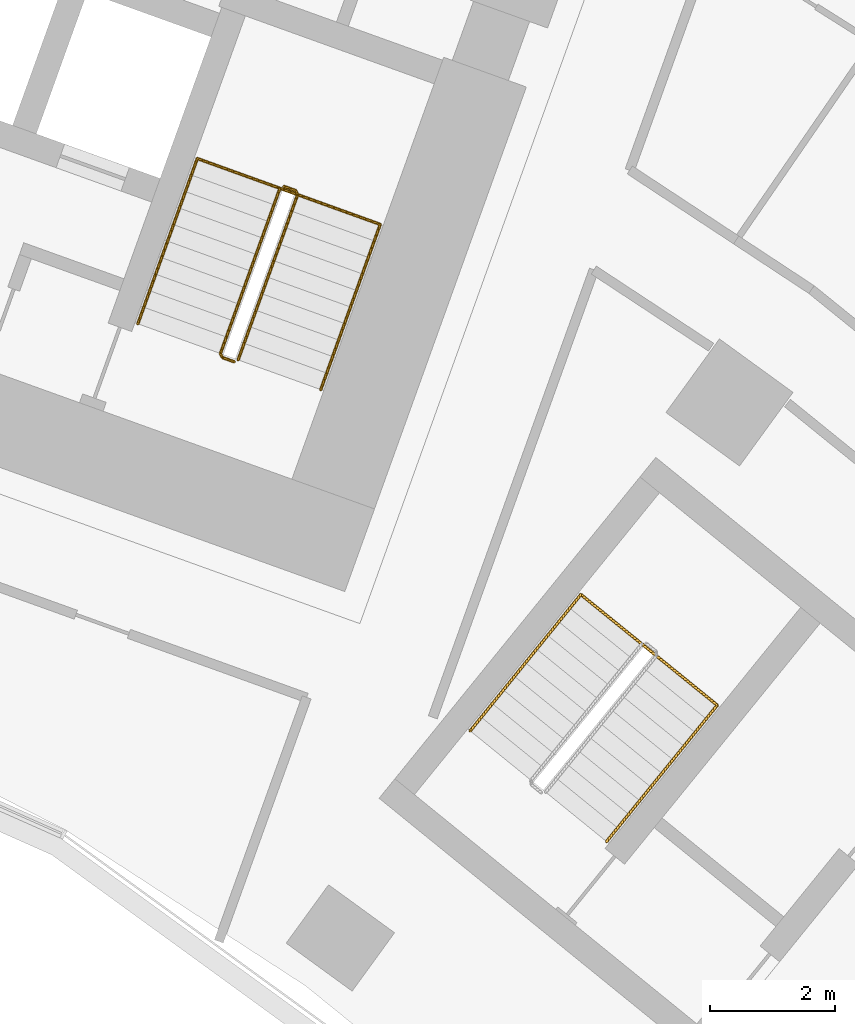
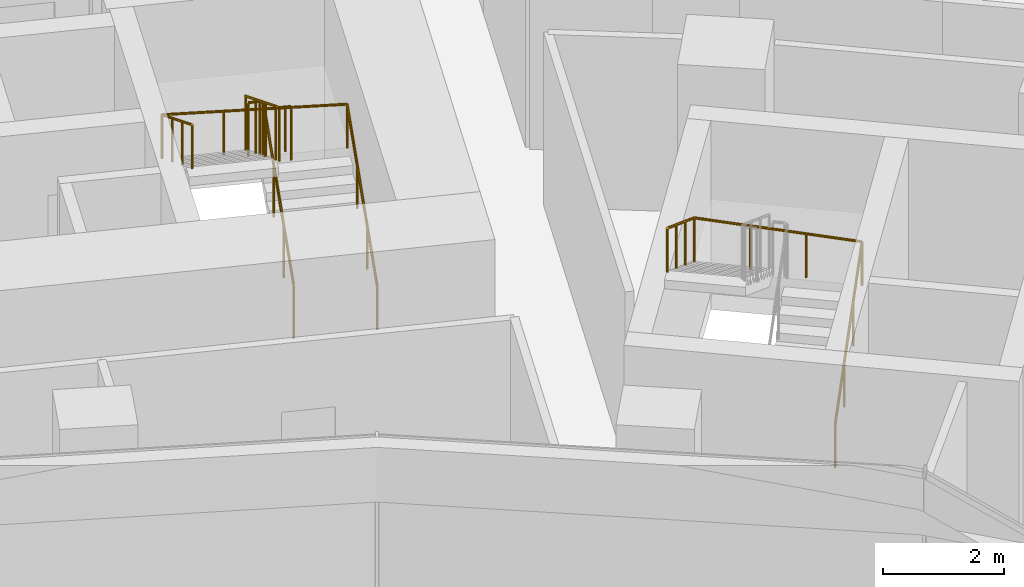
# One storey, part 21 of 21: 4 railings.
"""IFC4 building model written with IfcOpenShell, lengths in metres."""

from ifc_helpers import new_model, si_unit, direction, frame, origin, origin_2d, place, context, subcontext, project, spatial, circle, extrude, material, type_object, element, save


model = new_model("IFC4")

# Units and contexts
model_context = context("Model", 3, precision=1e-05, world=origin(), true_north=direction((0.0, 1.0)))
body_context = subcontext(model_context, "Body", "Model", "MODEL_VIEW")
ifc_project = project(units=[si_unit("LENGTHUNIT", "METRE"), si_unit("AREAUNIT", "SQUARE_METRE"), si_unit("VOLUMEUNIT", "CUBIC_METRE"), si_unit("PLANEANGLEUNIT", "RADIAN"), si_unit("MASSUNIT", "GRAM", prefix="KILO")], contexts=[model_context])

# Site, building, storey
site_placement = place(None, origin())
site = spatial("IfcSite", under=ifc_project, at=site_placement, CompositionType="ELEMENT")
building_placement = place(site_placement, origin())
building = spatial("IfcBuilding", under=site, at=building_placement, Name="Stone Belt Terrace Tower", CompositionType="ELEMENT")
storey_placement = place(building_placement, frame((0.0, 0.0, 117.39990234375)))
storey = spatial("IfcBuildingStorey", under=building, at=storey_placement, Name="L28", CompositionType="ELEMENT", Elevation=117.39990234375)

# Railings
ifc_material = material(Name="Structural steel C345", Category="steel")
railing_type_1 = type_object("IfcRailingType", Name="Stair guard 1100", PredefinedType="GUARDRAIL", material=ifc_material)
railing_1_placement = place(storey_placement, frame((24.494140625, 45.174560546875, 0.1728515625)))
element("IfcRailing", 1, at=railing_1_placement, inside=storey, type_object=railing_type_1, Name="L28 ST1B stair guard 1", PredefinedType="GUARDRAIL", context=body_context, shape_type="SweptSolid", body=[
    extrude(circle(Radius=0.02392578125, at=origin_2d()), frame((0.0, 0.0, 1.076171875), z_axis=(0.288228637646, 0.800791768495, 0.525030280985), x_axis=(-0.940908529223, 0.338660803216, 0.0)), (0.0, 0.0, 1.0), 3.289794921875),
    extrude(circle(Radius=0.02392578125, at=origin_2d()), frame((0.9482421875, 2.634521484375, 2.80322265625), z_axis=(-0.424964916, 0.905209821074, 0.0), x_axis=(-0.905209821074, -0.424964916, 0.0)), (0.0, 0.0, 1.0), 0.070556640625),
    extrude(circle(Radius=0.02392578125, at=origin_2d()), frame((0.918212890625, 2.698486328125, 2.80322265625), z_axis=(-0.941105063269, 0.338114270461, 0.0), x_axis=(-0.338114270461, -0.941105063269, 0.0)), (0.0, 0.0, 1.0), 0.199951171875),
    extrude(circle(Radius=0.02099609375, at=origin_2d()), origin(), (0.0, 0.0, 1.0), 1.052001953125),
    extrude(circle(Radius=0.02099609375, at=origin_2d()), frame((0.316162109375, 0.878173828125, 0.57568359375)), (0.0, 0.0, 1.0), 1.052001953125),
    extrude(circle(Radius=0.02099609375, at=origin_2d()), frame((0.632080078125, 1.75634765625, 1.151611328125)), (0.0, 0.0, 1.0), 1.052001953125),
    extrude(circle(Radius=0.02099609375, at=origin_2d()), frame((0.9482421875, 2.634521484375, 1.727294921875)), (0.0, 0.0, 1.0), 1.052001953125),
    extrude(circle(Radius=0.02099609375, at=origin_2d()), frame((0.918212890625, 2.698486328125, 1.727294921875)), (0.0, 0.0, 1.0), 1.052001953125),
    extrude(circle(Radius=0.02099609375, at=origin_2d()), frame((0.72998046875, 2.76611328125, 1.727294921875)), (0.0, 0.0, 1.0), 1.052001953125),
])
railing_2_placement = place(storey_placement, frame((25.16015625, 47.91064453125, 2.07275390625)))
element("IfcRailing", 2, at=railing_2_placement, inside=storey, type_object=railing_type_1, Name="L28 ST1B stair guard 2", PredefinedType="GUARDRAIL", context=body_context, shape_type="SweptSolid", body=[
    extrude(circle(Radius=0.02392578125, at=origin_2d()), frame((0.0, 0.0, 1.076171875), z_axis=(-0.288228637646, -0.800791768495, 0.525030280985), x_axis=(0.940908529223, -0.338660803216, 0.0)), (0.0, 0.0, 1.0), 3.289794921875),
    extrude(circle(Radius=0.02392578125, at=origin_2d()), frame((-0.9482421875, -2.634521484375, 2.80322265625), z_axis=(0.427789722475, -0.903878284585, 0.0), x_axis=(0.903878284585, 0.427789722475, 0.0)), (0.0, 0.0, 1.0), 0.07080078125),
    extrude(circle(Radius=0.02392578125, at=origin_2d()), frame((-0.91796875, -2.698486328125, 2.80322265625), z_axis=(0.940575576748, -0.339584429008, 0.0), x_axis=(0.339584429008, 0.940575576748, 0.0)), (0.0, 0.0, 1.0), 0.199951171875),
    extrude(circle(Radius=0.02099609375, at=origin_2d()), origin(), (0.0, 0.0, 1.0), 1.052001953125),
    extrude(circle(Radius=0.02099609375, at=origin_2d()), frame((-0.316162109375, -0.878173828125, 0.57568359375)), (0.0, 0.0, 1.0), 1.052001953125),
    extrude(circle(Radius=0.02099609375, at=origin_2d()), frame((-0.632080078125, -1.75634765625, 1.151611328125)), (0.0, 0.0, 1.0), 1.052001953125),
    extrude(circle(Radius=0.02099609375, at=origin_2d()), frame((-0.9482421875, -2.634521484375, 1.727294921875)), (0.0, 0.0, 1.0), 1.052001953125),
    extrude(circle(Radius=0.02099609375, at=origin_2d()), frame((-0.91796875, -2.698486328125, 1.727294921875)), (0.0, 0.0, 1.0), 1.052001953125),
    extrude(circle(Radius=0.02099609375, at=origin_2d()), frame((-0.72998046875, -2.766357421875, 1.727294921875)), (0.0, 0.0, 1.0), 1.052001953125),
])
railing_type_2 = type_object("IfcRailingType", Name="Stair handrail 900", PredefinedType="HANDRAIL", material=ifc_material)
railing_3_placement = place(storey_placement, frame((25.8115234375, 44.700439453125, 0.1728515625)))
element("IfcRailing", 3, at=railing_3_placement, inside=storey, type_object=railing_type_2, Name="L28 ST1B stair handrail 1", PredefinedType="HANDRAIL", context=body_context, shape_type="SweptSolid", body=[
    extrude(circle(Radius=0.02392578125, at=origin_2d()), frame((0.0, 0.0, 0.8759765625), z_axis=(0.288228637646, 0.800791768495, 0.525030280985), x_axis=(-0.940908529223, 0.338660803216, 0.0)), (0.0, 0.0, 1.0), 3.289794921875),
    extrude(circle(Radius=0.02392578125, at=origin_2d()), frame((0.9482421875, 2.634521484375, 2.60302734375), z_axis=(-0.939464517435, 0.338106580597, 0.055591012205), x_axis=(-0.338630230244, -0.940919532779, 0.0)), (0.0, 0.0, 1.0), 3.10498046875),
    extrude(circle(Radius=0.02392578125, at=origin_2d()), frame((-1.96875, 3.684326171875, 2.77587890625), z_axis=(-0.288160591223, -0.800808895155, 0.52504150989), x_axis=(0.940936311087, -0.338583606334, 0.0)), (0.0, 0.0, 1.0), 3.289794921875),
    extrude(circle(Radius=0.02099609375, at=origin_2d()), origin(), (0.0, 0.0, 1.0), 0.851806640625),
    extrude(circle(Radius=0.02099609375, at=origin_2d()), frame((0.316162109375, 0.878173828125, 0.57568359375)), (0.0, 0.0, 1.0), 0.851806640625),
    extrude(circle(Radius=0.02099609375, at=origin_2d()), frame((0.632080078125, 1.75634765625, 1.151611328125)), (0.0, 0.0, 1.0), 0.851806640625),
    extrude(circle(Radius=0.02099609375, at=origin_2d()), frame((0.9482421875, 2.634521484375, 1.727294921875)), (0.0, 0.0, 1.0), 0.851806640625),
    extrude(circle(Radius=0.02099609375, at=origin_2d()), frame((-0.024169921875, 2.984375, 1.784912109375)), (0.0, 0.0, 1.0), 0.851806640625),
    extrude(circle(Radius=0.02099609375, at=origin_2d()), frame((-0.996337890625, 3.33447265625, 1.84228515625)), (0.0, 0.0, 1.0), 0.851806640625),
    extrude(circle(Radius=0.02099609375, at=origin_2d()), frame((-1.96875, 3.684326171875, 1.89990234375)), (0.0, 0.0, 1.0), 0.851806640625),
    extrude(circle(Radius=0.02099609375, at=origin_2d()), frame((-2.28466796875, 2.80615234375, 2.4755859375)), (0.0, 0.0, 1.0), 0.851806640625),
    extrude(circle(Radius=0.02099609375, at=origin_2d()), frame((-2.600830078125, 1.927978515625, 3.051513671875)), (0.0, 0.0, 1.0), 0.851806640625),
    extrude(circle(Radius=0.02099609375, at=origin_2d()), frame((-2.916748046875, 1.0498046875, 3.627197265625)), (0.0, 0.0, 1.0), 0.851806640625),
])
railing_4_placement = place(storey_placement, frame((30.36865234375, 37.494140625, 0.1728515625)))
element("IfcRailing", 4, at=railing_4_placement, inside=storey, type_object=railing_type_2, Name="L28 ST3B stair handrail 1", PredefinedType="HANDRAIL", context=body_context, shape_type="SweptSolid", body=[
    extrude(circle(Radius=0.02392578125, at=origin_2d()), frame((0.0, 0.0, 0.8759765625), z_axis=(0.536366759382, 0.660811565066, 0.525013118792), x_axis=(-0.776425942316, 0.630208502084, 0.0)), (0.0, 0.0, 1.0), 3.2900390625),
    extrude(circle(Radius=0.02392578125, at=origin_2d()), frame((1.7646484375, 2.174072265625, 2.60302734375), z_axis=(-0.774954966459, 0.629014542119, 0.061526463929), x_axis=(-0.630208502084, -0.776425942316, 0.0)), (0.0, 0.0, 1.0), 2.805419921875),
    extrude(circle(Radius=0.02392578125, at=origin_2d()), frame((-0.409423828125, 3.938720703125, 2.77587890625), z_axis=(-0.536366759382, -0.660811565066, 0.525013118792), x_axis=(0.776425942316, -0.630208502084, 0.0)), (0.0, 0.0, 1.0), 3.2900390625),
    extrude(circle(Radius=0.02099609375, at=origin_2d()), origin(), (0.0, 0.0, 1.0), 0.851806640625),
    extrude(circle(Radius=0.02099609375, at=origin_2d()), frame((0.588134765625, 0.724609375, 0.57568359375)), (0.0, 0.0, 1.0), 0.851806640625),
    extrude(circle(Radius=0.02099609375, at=origin_2d()), frame((1.176513671875, 1.449462890625, 1.151611328125)), (0.0, 0.0, 1.0), 0.851806640625),
    extrude(circle(Radius=0.02099609375, at=origin_2d()), frame((1.7646484375, 2.174072265625, 1.727294921875)), (0.0, 0.0, 1.0), 0.851806640625),
    extrude(circle(Radius=0.02099609375, at=origin_2d()), frame((1.0400390625, 2.76220703125, 1.784912109375)), (0.0, 0.0, 1.0), 0.851806640625),
    extrude(circle(Radius=0.02099609375, at=origin_2d()), frame((0.315185546875, 3.3505859375, 1.84228515625)), (0.0, 0.0, 1.0), 0.851806640625),
    extrude(circle(Radius=0.02099609375, at=origin_2d()), frame((-0.409423828125, 3.938720703125, 1.89990234375)), (0.0, 0.0, 1.0), 0.851806640625),
    extrude(circle(Radius=0.02099609375, at=origin_2d()), frame((-0.99755859375, 3.214111328125, 2.4755859375)), (0.0, 0.0, 1.0), 0.851806640625),
    extrude(circle(Radius=0.02099609375, at=origin_2d()), frame((-1.5859375, 2.4892578125, 3.051513671875)), (0.0, 0.0, 1.0), 0.851806640625),
    extrude(circle(Radius=0.02099609375, at=origin_2d()), frame((-2.174072265625, 1.7646484375, 3.627197265625)), (0.0, 0.0, 1.0), 0.851806640625),
])

save(model, "model.ifc")
